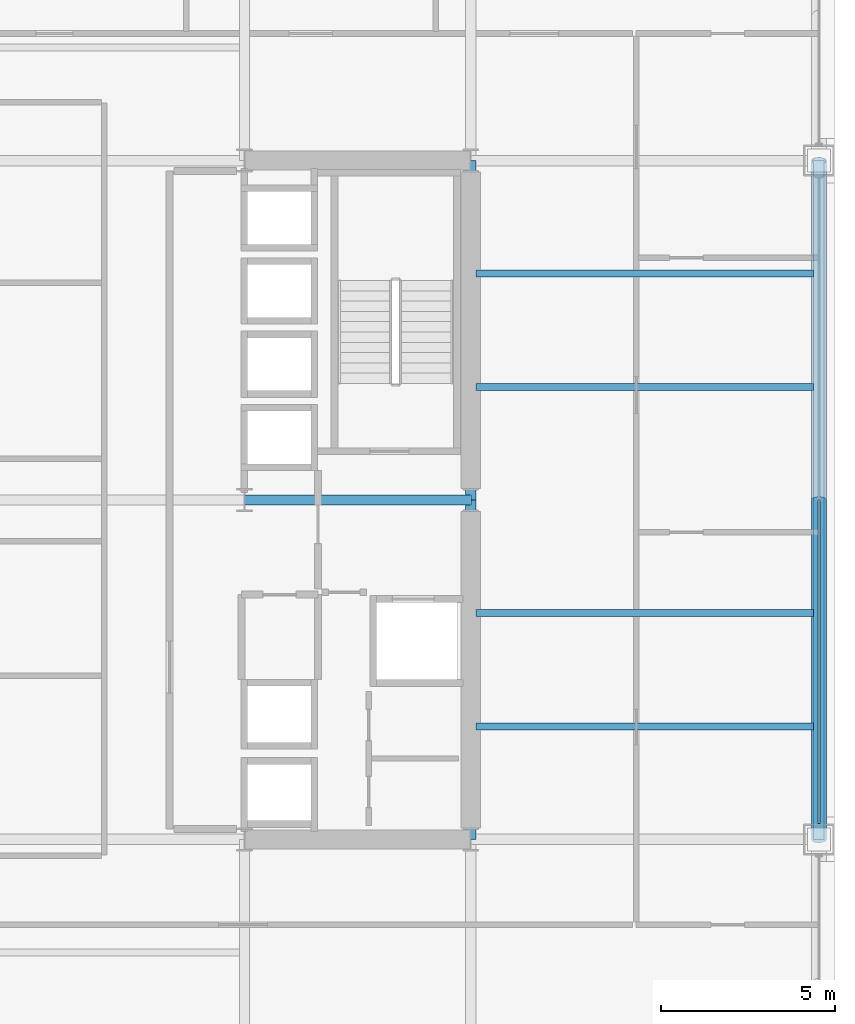
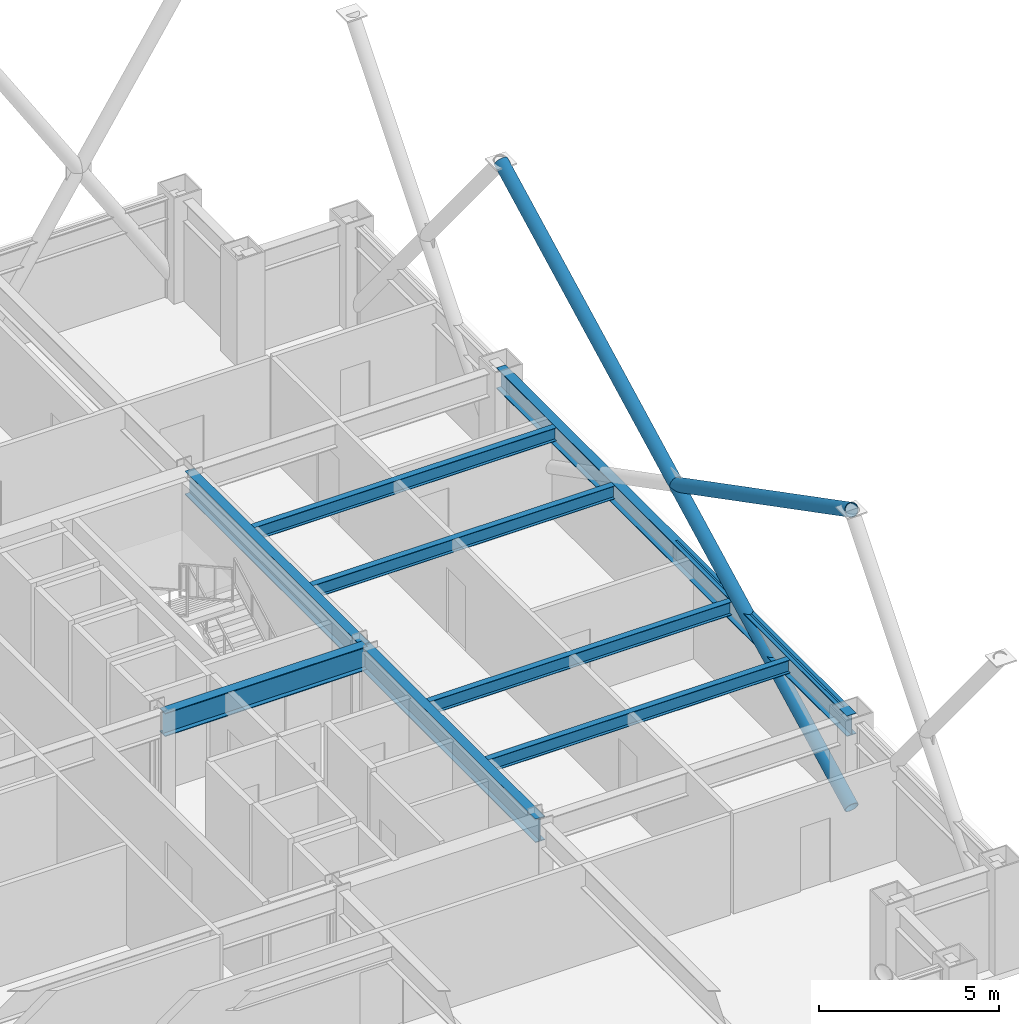
# One storey, part 13 of 29: 8 beams, 3 members, 1 element without a shape of its own.
"""IFC4 building model written with IfcOpenShell, lengths in metres."""

from ifc_helpers import new_model, si_unit, direction, frame, origin, origin_2d, place, context, subcontext, project, spatial, hollow_rectangle, hollow_circle, i_section, extrude, material, layer, layer_set, material_profile, profile_set, type_object, element, aggregate, save


model = new_model("IFC4")

# Units and contexts
model_context = context("Model", 3, precision=1e-05, world=origin(), true_north=direction((0.0, 1.0)))
body_context = subcontext(model_context, "Body", "Model", "MODEL_VIEW")
ifc_project = project(units=[si_unit("LENGTHUNIT", "METRE"), si_unit("AREAUNIT", "SQUARE_METRE"), si_unit("VOLUMEUNIT", "CUBIC_METRE"), si_unit("PLANEANGLEUNIT", "RADIAN"), si_unit("MASSUNIT", "GRAM", prefix="KILO")], contexts=[model_context])

# Site, building, storey
site_placement = place(None, origin())
site = spatial("IfcSite", under=ifc_project, at=site_placement, CompositionType="ELEMENT")
building_placement = place(site_placement, origin())
building = spatial("IfcBuilding", under=site, at=building_placement, Name="Brelmoor Portico Tower", CompositionType="ELEMENT")
storey_placement = place(building_placement, frame((0.0, 0.0, 67.199951171875)))
storey = spatial("IfcBuildingStorey", under=building, at=storey_placement, Name="L17", CompositionType="ELEMENT", Elevation=67.199951171875)

# Beams
ifc_material_1 = material(Name="Steel Q355B", Category="steel")
ifc_material_profile_1 = material_profile(ifc_material_1, i_section(OverallWidth=0.199951171875, OverallDepth=0.449951171875, WebThickness=0.009033203125, FlangeThickness=0.013916015625, at=origin_2d()), Name="HN 450x200x9x14")
ifc_profile_set_1 = profile_set([ifc_material_profile_1], Name="Steel Q355B")
beam_type_1 = type_object("IfcBeamType", Name="BM-JS-450", PredefinedType="JOIST", material=ifc_profile_set_1)
for number, where, z_axis, x_axis, name in (
    (1, (14.699951171875, -6.5, 3.175048828125), (1.0, 0.0, 0.0), (0.0, 1.0, 0.0), "L17 Secondary Wing Joist JS-E09"),
    (2, (14.699951171875, -3.25, 3.175048828125), (1.0, 0.0, 0.0), (0.0, 1.0, 0.0), "L17 Secondary Wing Joist JS-E10"),
    (3, (14.699951171875, 3.25, 3.175048828125), (1.0, 0.0, 0.0), (0.0, 1.0, 0.0), "L17 Secondary Wing Joist JS-E11"),
    (4, (14.699951171875, 6.5, 3.175048828125), (1.0, 0.0, 0.0), (0.0, 1.0, 0.0), "L17 Secondary Wing Joist JS-E12"),
):
    element("IfcBeam", number, at=place(storey_placement, frame(where, z_axis=z_axis, x_axis=x_axis)), inside=storey, type_object=beam_type_1, Name=name, PredefinedType="JOIST", context=body_context, shape_type="SweptSolid", body=[
        extrude(i_section(OverallWidth=0.199951171875, OverallDepth=0.449951171875, WebThickness=0.009033203125, FlangeThickness=0.013916015625, at=origin_2d()), origin(), (0.0, 0.0, 1.0), 9.699951171875),
    ])
ifc_material_profile_2 = material_profile(ifc_material_1, i_section(OverallWidth=0.300048828125, OverallDepth=0.800048828125, WebThickness=0.013916015625, FlangeThickness=0.02587890625, at=origin_2d()), Name="HN 800x300x14x26")
ifc_profile_set_2 = profile_set([ifc_material_profile_2], Name="Steel Q355B")
beam_type_2 = type_object("IfcBeamType", Name="BM-PG-800", PredefinedType="BEAM", material=ifc_profile_set_2)
for number, where, z_axis, x_axis, name in (
    (5, (14.550048828125, -9.75, 3.0), (0.0, 1.0, 0.0), (-1.0, 0.0, 0.0), "L17 Primary Floor Girder PG-12"),
    (6, (14.550048828125, 0.0, 3.0), (0.0, 1.0, 0.0), (-1.0, 0.0, 0.0), "L17 Primary Floor Girder PG-13"),
):
    element("IfcBeam", number, at=place(storey_placement, frame(where, z_axis=z_axis, x_axis=x_axis)), inside=storey, type_object=beam_type_2, Name=name, PredefinedType="BEAM", context=body_context, shape_type="SweptSolid", body=[
        extrude(i_section(OverallWidth=0.300048828125, OverallDepth=0.800048828125, WebThickness=0.013916015625, FlangeThickness=0.02587890625, at=origin_2d()), origin(), (0.0, 0.0, 1.0), 9.75),
    ])
beam_1_placement = place(storey_placement, frame((8.050048828125, 0.0, 3.0), z_axis=(1.0, 0.0, 0.0), x_axis=(0.0, 1.0, 0.0)))
element("IfcBeam", 7, at=beam_1_placement, inside=storey, type_object=beam_type_2, Name="L17 Primary Floor Girder PG-26", PredefinedType="BEAM", context=body_context, shape_type="SweptSolid", body=[
    extrude(i_section(OverallWidth=0.300048828125, OverallDepth=0.800048828125, WebThickness=0.013916015625, FlangeThickness=0.02587890625, at=origin_2d()), origin(), (0.0, 0.0, 1.0), 6.5),
])
ifc_material_profile_3 = material_profile(ifc_material_1, i_section(OverallWidth=0.300048828125, OverallDepth=0.699951171875, WebThickness=0.012939453125, FlangeThickness=0.02392578125, at=origin_2d()), Name="HN 700x300x13x24")
ifc_profile_set_3 = profile_set([ifc_material_profile_3], Name="Steel Q355B")
beam_type_3 = type_object("IfcBeamType", Name="BM-SP-700", PredefinedType="SPANDREL", material=ifc_profile_set_3)
beam_2_placement = place(storey_placement, frame((24.550048828125, -9.75, 3.050048828125), z_axis=(0.0, 1.0, 0.0), x_axis=(-1.0, 0.0, 0.0)))
element("IfcBeam", 8, at=beam_2_placement, inside=storey, type_object=beam_type_3, Name="L17 Perimeter Spandrel Beam SP-23", PredefinedType="SPANDREL", context=body_context, shape_type="SweptSolid", body=[
    extrude(i_section(OverallWidth=0.300048828125, OverallDepth=0.699951171875, WebThickness=0.012939453125, FlangeThickness=0.02392578125, at=origin_2d()), origin(), (0.0, 0.0, 1.0), 19.5),
])

# Members
ifc_material_profile_4 = material_profile(ifc_material_1, hollow_circle(Radius=0.212890625, WallThickness=0.02001953125, at=origin_2d()), Name="CHS 426x20")
ifc_profile_set_4 = profile_set([ifc_material_profile_4], Name="Steel Q355B")
member_type_1 = type_object("IfcMemberType", Name="MB-BELT-DIAG1", PredefinedType="BRACE", material=ifc_profile_set_4)
member_1_placement = place(storey_placement, frame((24.550048828125, -9.75, 0.25), z_axis=(0.0, 0.887959386012, 0.459921872488), x_axis=(-1.0, 0.0, 0.0)))
element("IfcMember", 9, at=member_1_placement, inside=storey, type_object=member_type_1, Name="L17 Continuous Mega-X Brace 041A", PredefinedType="BRACE", context=body_context, shape_type="SweptSolid", body=[
    extrude(hollow_circle(Radius=0.212890625, WallThickness=0.02001953125, at=origin_2d()), origin(), (0.0, 0.0, 1.0), 21.96044921875),
])
member_2_placement = place(storey_placement, frame((24.550048828125, 0.0, 5.300048828125), z_axis=(0.0, -0.887959386012, 0.459921872488), x_axis=(1.0, 0.0, 0.0)))
element("IfcMember", 10, at=member_2_placement, inside=storey, type_object=member_type_1, Name="L17 Split Mega-X Brace 041B2", PredefinedType="BRACE", context=body_context, shape_type="SweptSolid", body=[
    extrude(hollow_circle(Radius=0.212890625, WallThickness=0.02001953125, at=origin_2d()), origin(), (0.0, 0.0, 1.0), 10.980224609375),
])

# Curtain wall, member
ifc_material_2 = material(Name="Anodised Aluminium Alloy 6063-T6", Category="aluminium")
ifc_layer = layer(ifc_material_2, 0.179931640625)
ifc_layer_set = layer_set([ifc_layer], Name="Anodised Aluminium Alloy 6063-T6")
curtain_wall_type = type_object("IfcCurtainWallType", Name="CW-TOWER-Z1-XB", PredefinedType="NOTDEFINED", material=ifc_layer_set)
curtain_wall_placement = place(storey_placement, origin())
curtain_wall = element("IfcCurtainWall", 11, at=curtain_wall_placement, inside=storey, type_object=curtain_wall_type, Name="L17 Curtain Wall CW-L17-04-2", PredefinedType="NOTDEFINED")
ifc_material_profile_5 = material_profile(ifc_material_2, hollow_rectangle(XDim=0.06494140625, YDim=0.139892578125, WallThickness=0.00390625, at=origin_2d()), Name="ALU TRANSOM 65x140")
ifc_profile_set_5 = profile_set([ifc_material_profile_5], Name="Anodised Aluminium Alloy 6063-T6")
member_type_2 = type_object("IfcMemberType", Name="MB-CW-TRAN-140", PredefinedType="USERDEFINED", material=ifc_profile_set_5)
member_3_placement = place(storey_placement, frame((24.550048828125, -9.2900390625, 3.330078125), z_axis=(0.0, 1.0, 0.0), x_axis=(-1.0, 0.0, 0.0)))
member_3 = element("IfcMember", 12, at=member_3_placement, type_object=member_type_2, Name="CW-L17-04-2 Transom 1-00", ObjectType="TRANSOM", PredefinedType="USERDEFINED", context=body_context, shape_type="SweptSolid", body=[
    extrude(hollow_rectangle(XDim=0.06494140625, YDim=0.139892578125, WallThickness=0.00390625, at=origin_2d()), origin(), (0.0, 0.0, 1.0), 9.2900390625),
])
aggregate(curtain_wall, [member_3])

save(model, "model.ifc")
